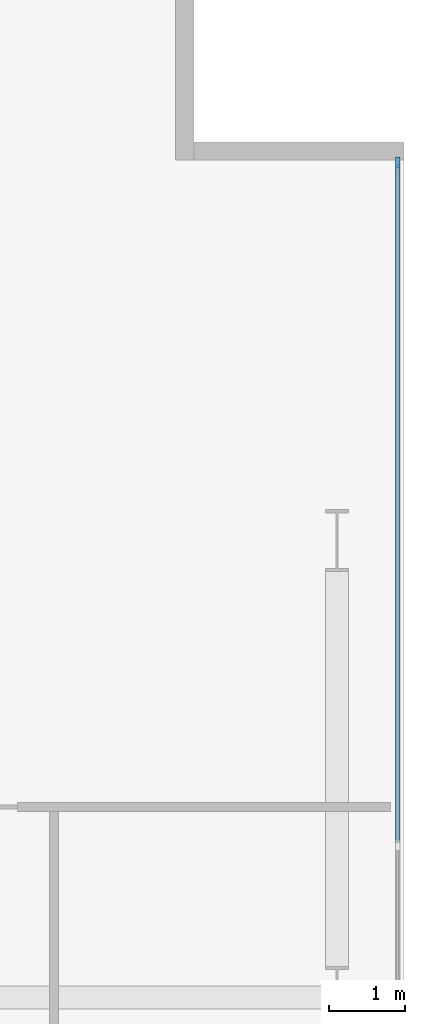
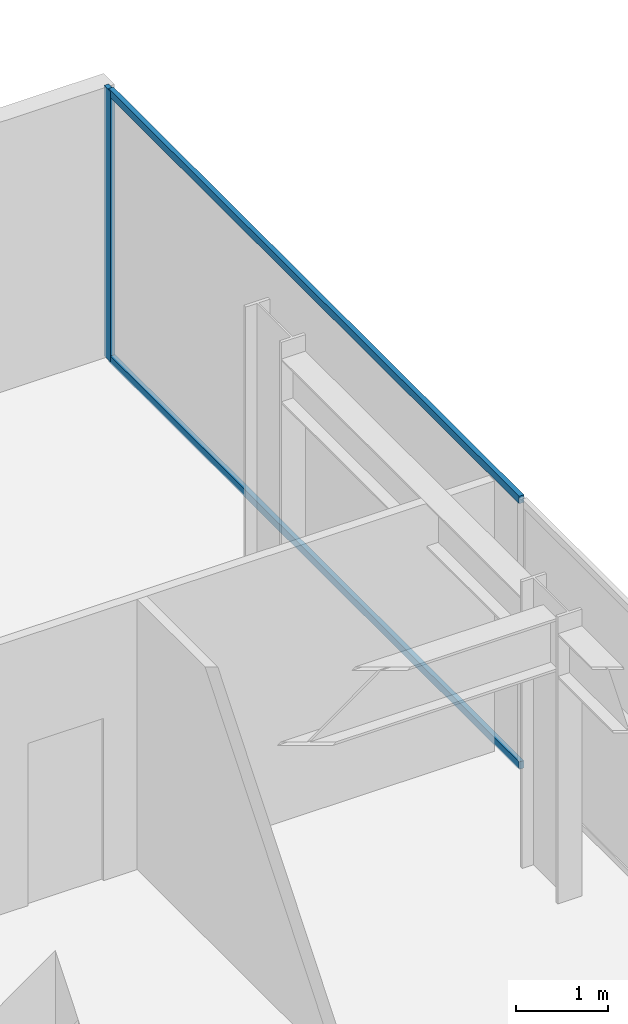
# One storey, part 15 of 23: 3 members, 1 element without a shape of its own.
"""IFC4 building model written with IfcOpenShell, lengths in metres."""

from ifc_helpers import new_model, si_unit, direction, frame, origin, origin_2d, place, context, subcontext, project, spatial, rectangle, extrude, material, layer, layer_set, material_profile, profile_set, type_object, element, aggregate, save


model = new_model("IFC4")

# Units and contexts
model_context = context("Model", 3, precision=1e-05, world=origin(), true_north=direction((0.0, 1.0)))
body_context = subcontext(model_context, "Body", "Model", "MODEL_VIEW")
ifc_project = project(units=[si_unit("LENGTHUNIT", "METRE"), si_unit("AREAUNIT", "SQUARE_METRE"), si_unit("VOLUMEUNIT", "CUBIC_METRE"), si_unit("PLANEANGLEUNIT", "RADIAN"), si_unit("MASSUNIT", "GRAM", prefix="KILO")], contexts=[model_context])

# Site, building, storey
site_placement = place(None, origin())
site = spatial("IfcSite", under=ifc_project, at=site_placement, CompositionType="ELEMENT")
building_placement = place(site_placement, origin())
building = spatial("IfcBuilding", under=site, at=building_placement, Name="Putna Gate Headquarters", CompositionType="ELEMENT")
storey_placement = place(building_placement, frame((0.0, 0.0, 232.800048828125)))
storey = spatial("IfcBuildingStorey", under=building, at=storey_placement, Name="L58", CompositionType="ELEMENT", Elevation=232.800048828125)

# Curtain wall, members
ifc_material_1 = material(Name="Anodised bronze aluminium curtain wall", Category="aluminium")
ifc_layer = layer(ifc_material_1, 0.139892578125)
ifc_layer_set = layer_set([ifc_layer], Name="Anodised bronze aluminium curtain wall")
curtain_wall_type = type_object("IfcCurtainWallType", Name="CW-SYS-Z4", PredefinedType="USERDEFINED", material=ifc_layer_set)
curtain_wall_placement = place(storey_placement, origin())
curtain_wall = element("IfcCurtainWall", 1, at=curtain_wall_placement, inside=storey, type_object=curtain_wall_type, Name="L58 East Curtain Wall", ObjectType="STICK CURTAIN WALL", PredefinedType="USERDEFINED")
ifc_material_2 = material(Name="Anodised bronze aluminium EN AW-6060", Category="aluminium")
ifc_material_profile_1 = material_profile(ifc_material_2, rectangle(XDim=0.06005859375, YDim=0.139892578125, at=origin_2d()), Name="Anodised bronze aluminium EN AW-6060")
ifc_profile_set_1 = profile_set([ifc_material_profile_1], Name="Anodised bronze aluminium EN AW-6060")
member_type_1 = type_object("IfcMemberType", Name="MULL-CWM-4", PredefinedType="MULLION", material=ifc_profile_set_1)
member_1_placement = place(storey_placement, frame((72.1201171875, 43.969970703125, 0.0), z_axis=(0.0, 0.0, 1.0), x_axis=(-1.0, 0.0, 0.0)))
member_1 = element("IfcMember", 2, at=member_1_placement, type_object=member_type_1, Name="CWS-4 mullion 5", PredefinedType="MULLION", context=body_context, shape_type="SweptSolid", body=[
    extrude(rectangle(XDim=0.06005859375, YDim=0.139892578125, at=origin_2d()), origin(), (0.0, 0.0, 1.0), 3.579833984375),
])
ifc_material_profile_2 = material_profile(ifc_material_2, rectangle(XDim=0.06005859375, YDim=0.10009765625, at=origin_2d()), Name="Anodised bronze aluminium EN AW-6060")
ifc_profile_set_2 = profile_set([ifc_material_profile_2], Name="Anodised bronze aluminium EN AW-6060")
member_type_2 = type_object("IfcMemberType", Name="TRAN-CWT-4", PredefinedType="USERDEFINED", material=ifc_profile_set_2)
member_2_placement = place(storey_placement, frame((72.1201171875, 35.030029296875, 0.030029296875), z_axis=(0.0, 1.0, 0.0), x_axis=(-1.0, 0.0, 0.0)))
member_2 = element("IfcMember", 3, at=member_2_placement, type_object=member_type_2, Name="CWS-4 transom 4.1", ObjectType="TRANSOM", PredefinedType="USERDEFINED", context=body_context, shape_type="SweptSolid", body=[
    extrude(rectangle(XDim=0.06005859375, YDim=0.10009765625, at=origin_2d()), origin(), (0.0, 0.0, 1.0), 8.909912109375),
])
member_3_placement = place(storey_placement, frame((72.1201171875, 35.030029296875, 3.550048828125), z_axis=(0.0, 1.0, 0.0), x_axis=(-1.0, 0.0, 0.0)))
member_3 = element("IfcMember", 4, at=member_3_placement, type_object=member_type_2, Name="CWS-4 transom 4.2", ObjectType="TRANSOM", PredefinedType="USERDEFINED", context=body_context, shape_type="SweptSolid", body=[
    extrude(rectangle(XDim=0.06005859375, YDim=0.10009765625, at=origin_2d()), origin(), (0.0, 0.0, 1.0), 8.909912109375),
])
aggregate(curtain_wall, [member_1, member_2, member_3])

save(model, "model.ifc")
